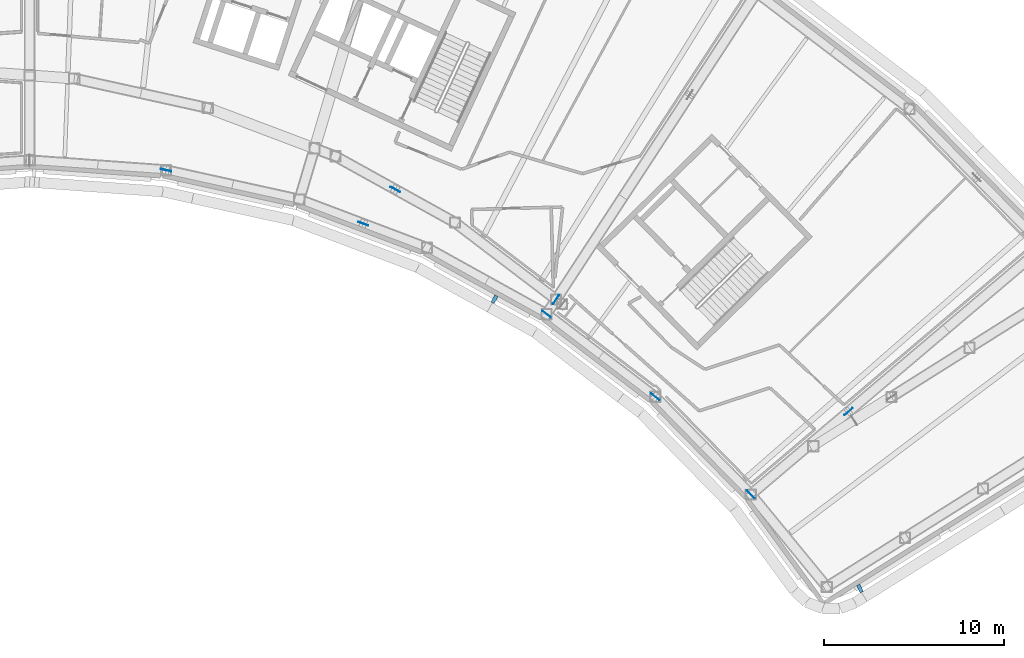
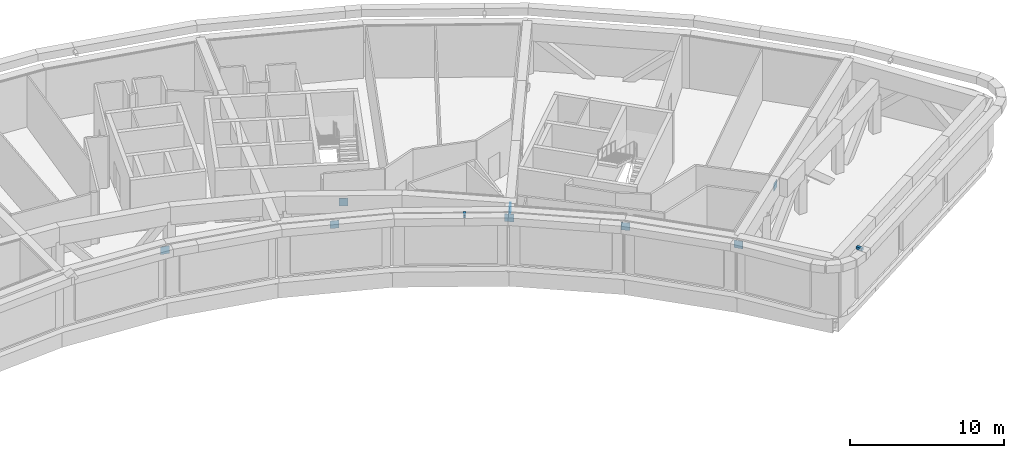
# One storey, part 17 of 24: 10 discrete accessories.
"""IFC4 building model written with IfcOpenShell, lengths in metres."""

from ifc_helpers import new_model, si_unit, direction, frame, origin, origin_2d, place, context, subcontext, project, spatial, rectangle, extrude, material, type_object, element, save


model = new_model("IFC4")

# Units and contexts
model_context = context("Model", 3, precision=1e-05, world=origin(), true_north=direction((0.0, 1.0)))
body_context = subcontext(model_context, "Body", "Model", "MODEL_VIEW")
ifc_project = project(units=[si_unit("LENGTHUNIT", "METRE"), si_unit("AREAUNIT", "SQUARE_METRE"), si_unit("VOLUMEUNIT", "CUBIC_METRE"), si_unit("PLANEANGLEUNIT", "RADIAN"), si_unit("MASSUNIT", "GRAM", prefix="KILO")], contexts=[model_context])

# Site, building, storey
site_placement = place(None, origin())
site = spatial("IfcSite", under=ifc_project, at=site_placement, CompositionType="ELEMENT")
building_placement = place(site_placement, origin())
building = spatial("IfcBuilding", under=site, at=building_placement, Name="Tuul Gate Civic Tower", CompositionType="ELEMENT")
storey_placement = place(building_placement, frame((0.0, 0.0, 243.89990234375)))
storey = spatial("IfcBuildingStorey", under=building, at=storey_placement, Name="Plant and refuge floor 6", CompositionType="ELEMENT", Elevation=243.89990234375)

# Discrete accessories
ifc_material_1 = material(Name="Steel S355", Category="steel")
discrete_accessory_type_1 = type_object("IfcDiscreteAccessoryType", Name="Gusset plate", PredefinedType="BRACKET", material=ifc_material_1)
for number, where, z_axis, x_axis, name in (
    (1, (40.285888671875, -15.6201171875, 3.10400390625), (0.0, 0.0, 1.0), (0.546721915066, 0.837314246616, 0.0), "Gusset plate"),
    (2, (56.542236328125, -21.847412109375, 3.102783203125), (0.0, 0.0, 1.0), (0.76284784567, 0.646578041969, 0.0), "Gusset plate"),
    (3, (39.757080078125, -16.4296875, 3.103759765625), (0.0, 0.0, 1.0), (0.795664473939, -0.60573760401, 0.0), "Gusset plate"),
    (4, (45.798095703125, -21.02880859375, 3.103759765625), (0.0, 0.0, 1.0), (-0.795664473939, 0.60573760401, 0.0), "Gusset plate"),
    (5, (31.345947265625, -9.49853515625, 3.103759765625), (0.0, 0.0, 1.0), (-0.874598044765, 0.484848698146, 0.0), "Gusset plate"),
    (6, (18.60302734375, -8.4296875, 3.103759765625), (0.0, 0.0, 1.0), (0.97656368755, -0.215228632292, 0.0), "Gusset plate"),
    (7, (29.5673828125, -11.406494140625, 3.103759765625), (0.0, 0.0, 1.0), (-0.935367540469, 0.353677203444, 0.0), "Gusset plate"),
    (8, (51.11181640625, -26.449462890625, 3.103271484375), (0.0, 0.0, 1.0), (-0.700023993072, 0.714119324149, 0.0), "Gusset plate"),
):
    element("IfcDiscreteAccessory", number, at=place(storey_placement, frame(where, z_axis=z_axis, x_axis=x_axis)), inside=storey, type_object=discrete_accessory_type_1, Name=name, PredefinedType="BRACKET", context=body_context, shape_type="SweptSolid", body=[
        extrude(rectangle(XDim=0.60009765625, YDim=0.030029296875, at=origin_2d()), origin(), (0.0, 0.0, 1.0), 0.60009765625),
    ])
ifc_material_2 = material(Name="Stainless steel", Category="steel")
discrete_accessory_type_2 = type_object("IfcDiscreteAccessoryType", Name="Screen bracket", PredefinedType="BRACKET", material=ifc_material_2)
discrete_accessory_1_placement = place(storey_placement, frame((36.866943359375, -15.599609375, 4.05029296875), z_axis=(0.0, 0.0, 1.0), x_axis=(-0.499371084486, -0.866388203971, 0.0)))
element("IfcDiscreteAccessory", 9, at=discrete_accessory_1_placement, inside=storey, type_object=discrete_accessory_type_2, Name="Screen bracket 28", PredefinedType="BRACKET", context=body_context, shape_type="SweptSolid", body=[
    extrude(rectangle(XDim=0.4501953125, YDim=0.199951171875, at=origin_2d()), origin(), (0.0, 0.0, 1.0), 0.199951171875),
])
discrete_accessory_2_placement = place(storey_placement, frame((57.17724609375, -31.677978515625, 4.05029296875), z_axis=(0.0, 0.0, 1.0), x_axis=(0.453861421697, -0.89107228096, 0.0)))
element("IfcDiscreteAccessory", 10, at=discrete_accessory_2_placement, inside=storey, type_object=discrete_accessory_type_2, Name="Screen bracket 31", PredefinedType="BRACKET", context=body_context, shape_type="SweptSolid", body=[
    extrude(rectangle(XDim=0.45166015625, YDim=0.199951171875, at=origin_2d()), origin(), (0.0, 0.0, 1.0), 0.199951171875),
])

save(model, "model.ifc")
